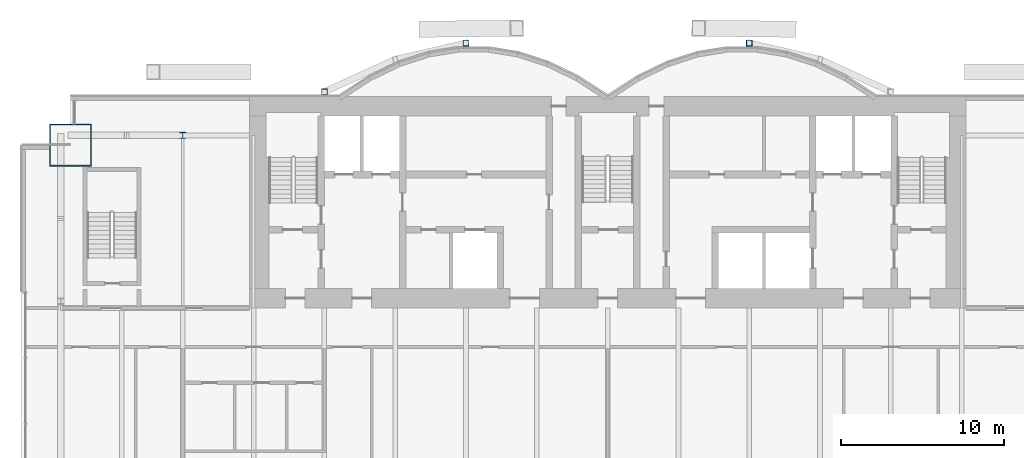
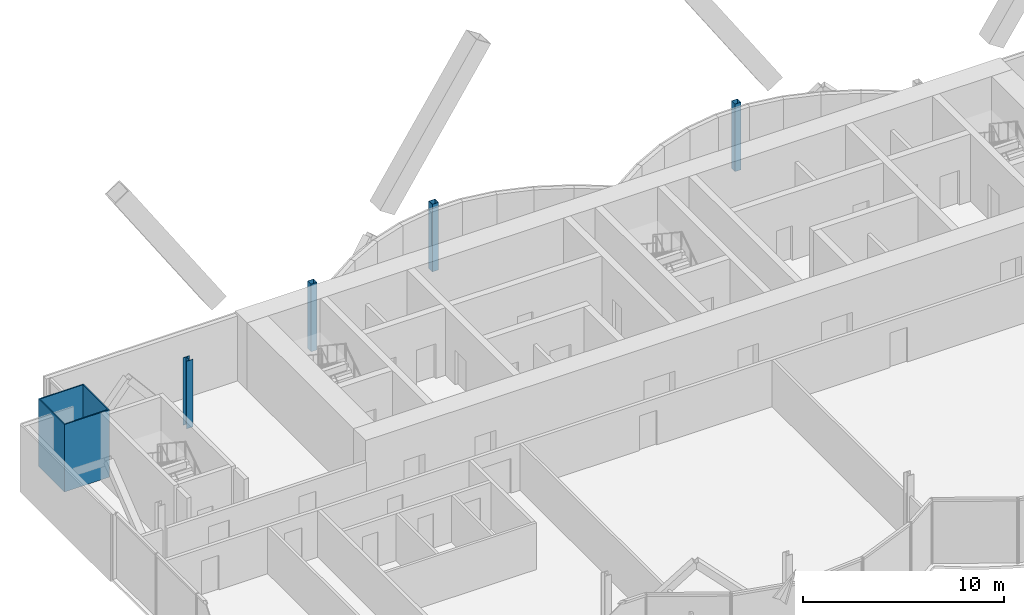
# One storey, part 3 of 20: 5 columns.
"""IFC4 building model written with IfcOpenShell, lengths in metres."""

from ifc_helpers import new_model, si_unit, direction, frame, origin, origin_2d, place, context, subcontext, project, spatial, hollow_rectangle, i_section, extrude, material, material_profile, profile_set, type_object, element, save


model = new_model("IFC4")

# Units and contexts
model_context = context("Model", 3, precision=1e-05, world=origin(), true_north=direction((0.0, 1.0)))
body_context = subcontext(model_context, "Body", "Model", "MODEL_VIEW")
ifc_project = project(units=[si_unit("LENGTHUNIT", "METRE"), si_unit("AREAUNIT", "SQUARE_METRE"), si_unit("VOLUMEUNIT", "CUBIC_METRE"), si_unit("PLANEANGLEUNIT", "RADIAN"), si_unit("MASSUNIT", "GRAM", prefix="KILO")], contexts=[model_context])

# Site, building, storey
site_placement = place(None, origin())
site = spatial("IfcSite", under=ifc_project, at=site_placement, CompositionType="ELEMENT")
building_placement = place(site_placement, origin())
building = spatial("IfcBuilding", under=site, at=building_placement, Name="Bicima Exchange Tower", CompositionType="ELEMENT")
storey_placement = place(building_placement, frame((0.0, 0.0, 219.60009765625)))
storey = spatial("IfcBuildingStorey", under=building, at=storey_placement, Name="L49", CompositionType="ELEMENT", Elevation=219.60009765625)

# Columns
ifc_material_1 = material(Name="Steel ASTM A572 Gr 50", Category="steel")
ifc_material_profile_1 = material_profile(ifc_material_1, hollow_rectangle(XDim=2.60009765625, YDim=2.60009765625, WallThickness=0.070068359375, at=origin_2d()))
ifc_profile_set_1 = profile_set([ifc_material_profile_1], Name="Steel ASTM A572 Gr 50")
column_type_1 = type_object("IfcColumnType", Name="Mega column BOX 2600x2600x70", PredefinedType="COLUMN", material=ifc_profile_set_1)
column_1_placement = place(storey_placement, frame((-33.0, -3.0, 0.0), z_axis=(0.0, 0.0, 1.0), x_axis=(1.0, 0.0, 0.0)))
element("IfcColumn", 1, at=column_1_placement, inside=storey, type_object=column_type_1, Name="Mega column mega-33.0r", PredefinedType="COLUMN", context=body_context, shape_type="SweptSolid", body=[
    extrude(hollow_rectangle(XDim=2.60009765625, YDim=2.60009765625, WallThickness=0.070068359375, at=origin_2d()), origin(), (0.0, 0.0, 1.0), 4.099853515625),
])
ifc_material_2 = material(Name="Steel ASTM A992 Gr 50", Category="steel")
ifc_material_profile_2 = material_profile(ifc_material_2, i_section(OverallWidth=0.373291015625, OverallDepth=0.373291015625, WebThickness=0.016357421875, FlangeThickness=0.026123046875, at=origin_2d()))
ifc_profile_set_2 = profile_set([ifc_material_profile_2], Name="Steel ASTM A992 Gr 50")
column_type_2 = type_object("IfcColumnType", Name="Perimeter column W14x132", PredefinedType="COLUMN", material=ifc_profile_set_2)
column_2_placement = place(storey_placement, frame((-26.10009765625, -2.39990234375, 0.0), z_axis=(0.0, 0.0, 1.0), x_axis=(1.0, 0.0, 0.0)))
element("IfcColumn", 2, at=column_2_placement, inside=storey, type_object=column_type_2, Name="Perimeter column grav-26.1r", PredefinedType="COLUMN", context=body_context, shape_type="SweptSolid", body=[
    extrude(i_section(OverallWidth=0.373291015625, OverallDepth=0.373291015625, WebThickness=0.016357421875, FlangeThickness=0.026123046875, at=origin_2d()), origin(), (0.0, 0.0, 1.0), 4.099853515625),
])
ifc_material_profile_3 = material_profile(ifc_material_1, hollow_rectangle(XDim=0.355712890625, YDim=0.355712890625, WallThickness=0.01171875, at=origin_2d()))
ifc_profile_set_3 = profile_set([ifc_material_profile_3], Name="Steel ASTM A572 Gr 50")
column_type_3 = type_object("IfcColumnType", Name="Rear pilaster HSS14x14x1/2", PredefinedType="COLUMN", material=ifc_profile_set_3)
for number, where, z_axis, x_axis, name in (
    (3, (-8.699951171875, 3.26904296875, 0.0), (0.0, 0.0, 1.0), (1.0, 0.0, 0.0), "Rear pilaster rexo-8.7r"),
    (4, (-17.39990234375, 0.278076171875, 0.0), (0.0, 0.0, 1.0), (1.0, 0.0, 0.0), "Rear pilaster rexo-17.4r"),
    (5, (8.699951171875, 3.26904296875, 0.0), (0.0, 0.0, 1.0), (1.0, 0.0, 0.0), "Rear pilaster rexo+8.7r"),
):
    element("IfcColumn", number, at=place(storey_placement, frame(where, z_axis=z_axis, x_axis=x_axis)), inside=storey, type_object=column_type_3, Name=name, PredefinedType="COLUMN", context=body_context, shape_type="SweptSolid", body=[
        extrude(hollow_rectangle(XDim=0.355712890625, YDim=0.355712890625, WallThickness=0.01171875, at=origin_2d()), origin(), (0.0, 0.0, 1.0), 4.099853515625),
    ])

save(model, "model.ifc")
